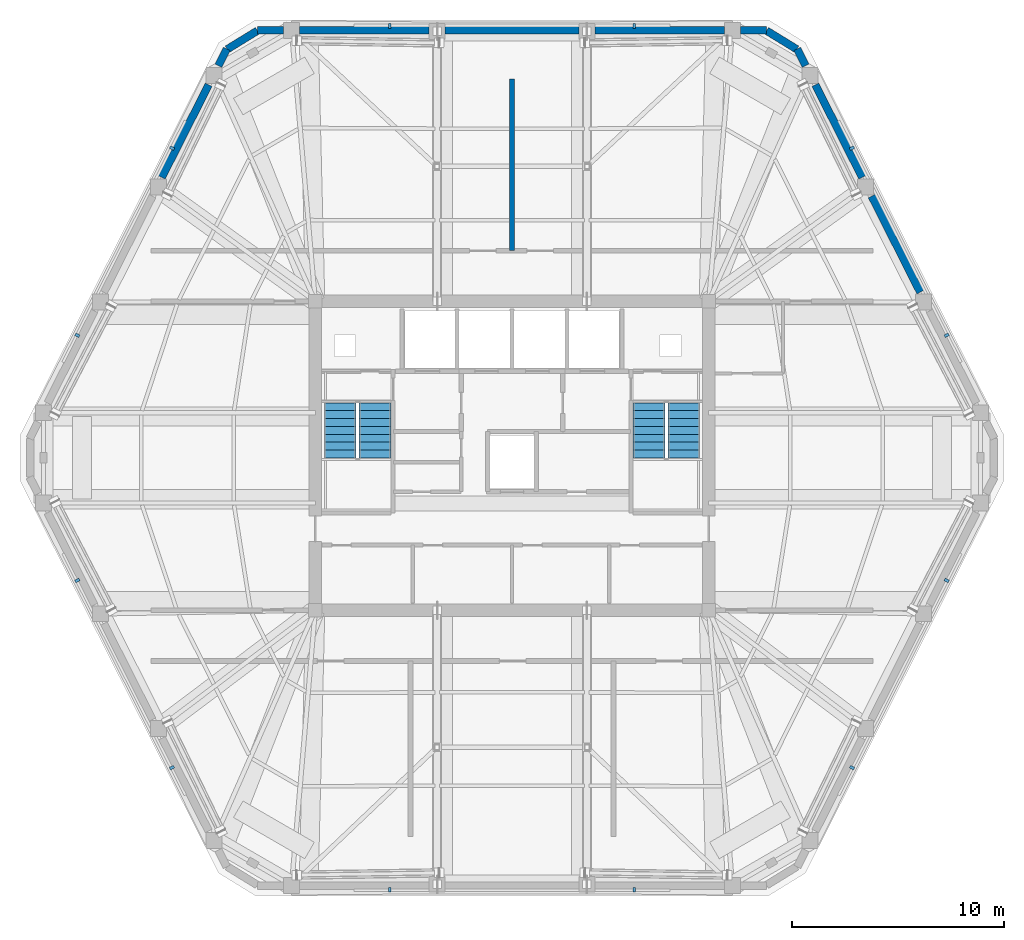
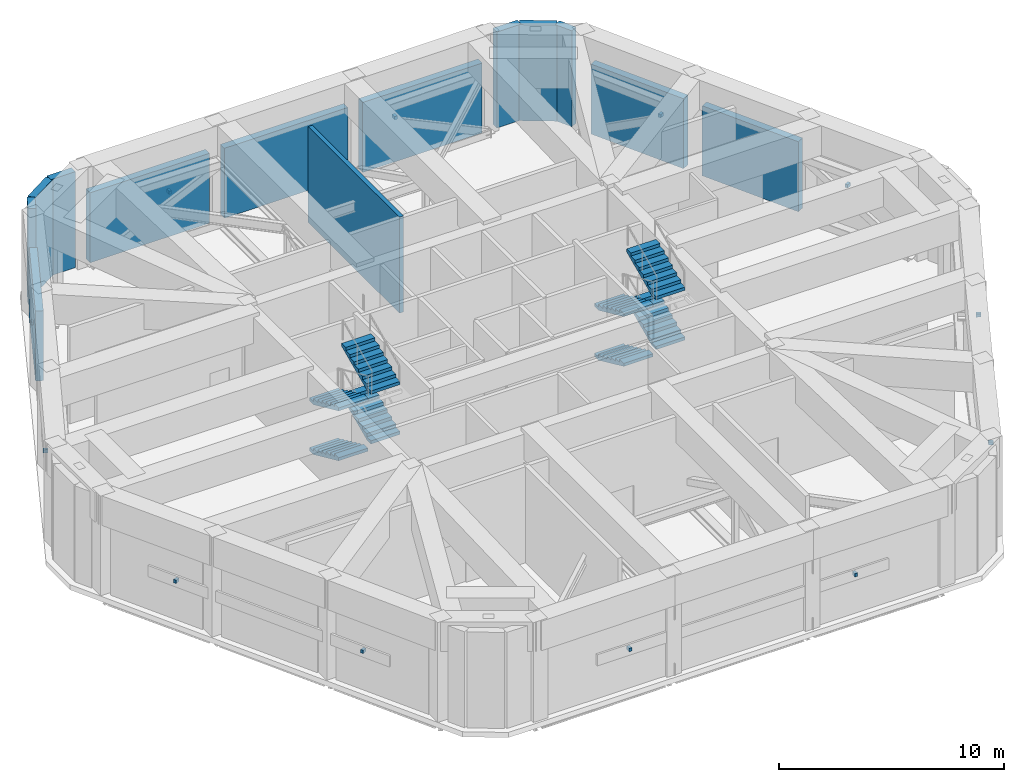
# One storey, part 12 of 15: 13 walls, 12 discrete accessories, 8 stair flights, 2 elements without a shape of their own.
"""IFC4 building model written with IfcOpenShell, lengths in metres."""

from ifc_helpers import new_model, si_unit, direction, frame, frame_2d, origin, origin_2d, place, context, subcontext, project, spatial, polyline, rectangle, outline, extrude, material, layer, layer_set, type_object, element, aggregate, save


model = new_model("IFC4")

# Units and contexts
model_context = context("Model", 3, precision=1e-05, world=origin(), true_north=direction((0.0, 1.0)))
body_context = subcontext(model_context, "Body", "Model", "MODEL_VIEW")
ifc_project = project(units=[si_unit("LENGTHUNIT", "METRE"), si_unit("AREAUNIT", "SQUARE_METRE"), si_unit("VOLUMEUNIT", "CUBIC_METRE"), si_unit("PLANEANGLEUNIT", "RADIAN"), si_unit("MASSUNIT", "GRAM", prefix="KILO")], contexts=[model_context])

# Site, building, storey
site_placement = place(None, origin())
site = spatial("IfcSite", under=ifc_project, at=site_placement, CompositionType="ELEMENT")
building_placement = place(site_placement, origin())
building = spatial("IfcBuilding", under=site, at=building_placement, Name="Cinnabar Lancet Tower", CompositionType="ELEMENT")
storey_placement = place(building_placement, frame((0.0, 0.0, 221.60009765625)))
storey = spatial("IfcBuildingStorey", under=building, at=storey_placement, Name="L59", CompositionType="ELEMENT", Elevation=221.60009765625)

# Walls
ifc_material_1 = material(Name="Acoustic masonry plant room wall", Category="masonry")
ifc_layer_1 = layer(ifc_material_1, 0.219970703125)
ifc_layer_set_1 = layer_set([ifc_layer_1], Name="Acoustic masonry plant room wall")
wall_type_1 = type_object("IfcWallType", Name="ARC-WL-PLANT-220", PredefinedType="PARTITIONING", material=ifc_layer_set_1)
wall_1_placement = place(storey_placement, frame((32.39990234375, 35.60009765625, 0.0), z_axis=(0.0, 0.0, 1.0), x_axis=(0.0, 1.0, 0.0)))
element("IfcWall", 1, at=wall_1_placement, inside=storey, type_object=wall_type_1, Name="PW-L59-NDIV", PredefinedType="PARTITIONING", context=body_context, shape_type="SweptSolid", body=[
    extrude(rectangle(XDim=8.099853515625, YDim=0.219970703125, at=frame_2d((4.0498046875, 0.0))), origin(), (0.0, 0.0, 1.0), 5.199951171875),
])
ifc_material_2 = material(Name="Dark charcoal engineering brick", Category="masonry")
ifc_layer_2 = layer(ifc_material_2, 0.360107421875)
ifc_layer_set_2 = layer_set([ifc_layer_2], Name="Dark charcoal engineering brick")
wall_type_2 = type_object("IfcWallType", Name="ENV-WL-BRK-CHR-360", PredefinedType="STANDARD", material=ifc_layer_set_2)
for number, where, z_axis, x_axis, name in (
    (2, (45.860107421875, 45.117919921875, 0.0), (0.0, 0.0, 1.0), (-0.852179220489, 0.52325001306, 0.0), "L59 Chamfered Corner Brick Pier 4.1"),
    (3, (20.364990234375, 45.992919921875, 0.0), (0.0, 0.0, 1.0), (-0.852179220489, -0.52325001306, 0.0), "L59 Chamfered Corner Brick Pier 5.1"),
):
    element("IfcWall", number, at=place(storey_placement, frame(where, z_axis=z_axis, x_axis=x_axis)), inside=storey, type_object=wall_type_2, Name=name, PredefinedType="STANDARD", context=body_context, shape_type="SweptSolid", body=[
        extrude(rectangle(XDim=1.672119140625, YDim=0.360107421875, at=frame_2d((0.8359375, 0.0))), origin(), (0.0, 0.0, 1.0), 5.199951171875),
    ])
wall_2_placement = place(storey_placement, frame((51.699951171875, 33.631103515625, 0.0), z_axis=(0.0, 0.0, 1.0), x_axis=(-0.451276600056, 0.892384127067, 0.0)))
element("IfcWall", 4, at=wall_2_placement, inside=storey, type_object=wall_type_2, Name="L59 Face 3 Masonry Bay Wall 3", PredefinedType="STANDARD", context=body_context, shape_type="SweptSolid", body=[
    extrude(rectangle(XDim=5.08984375, YDim=0.360107421875, at=frame_2d((2.544921875, 0.0))), origin(), (0.0, 0.0, 1.0), 3.789794921875),
])
wall_3_placement = place(storey_placement, frame((48.9541015625, 39.05908203125, 0.0), z_axis=(0.0, 0.0, 1.0), x_axis=(-0.451389625798, 0.892326961221, 0.0)))
element("IfcWall", 5, at=wall_3_placement, inside=storey, type_object=wall_type_2, Name="L59 Face 3 Masonry Bay Wall 4", PredefinedType="STANDARD", context=body_context, shape_type="SweptSolid", body=[
    extrude(rectangle(XDim=4.905029296875, YDim=0.360107421875, at=frame_2d((2.45263671875, 0.0))), origin(), (0.0, 0.0, 1.0), 3.789794921875),
])
wall_4_placement = place(storey_placement, frame((46.281982421875, 44.342041015625, 0.0), z_axis=(0.0, 0.0, 1.0), x_axis=(-0.451165850885, 0.89244012404, 0.0)))
element("IfcWall", 6, at=wall_4_placement, inside=storey, type_object=wall_type_2, Name="L59 Face 3 Masonry Bay Wall 5", PredefinedType="STANDARD", context=body_context, shape_type="SweptSolid", body=[
    extrude(rectangle(XDim=0.888427734375, YDim=0.360107421875, at=frame_2d((0.4443359375, 0.0))), origin(), (0.0, 0.0, 1.0), 5.199951171875),
])
wall_5_placement = place(storey_placement, frame((44.44091796875, 46.02001953125, 0.0), z_axis=(0.0, 0.0, 1.0), x_axis=(-1.0, 0.0, 0.0)))
element("IfcWall", 7, at=wall_5_placement, inside=storey, type_object=wall_type_2, Name="L59 Face 4 Masonry Bay Wall 1", PredefinedType="STANDARD", context=body_context, shape_type="SweptSolid", body=[
    extrude(rectangle(XDim=1.240966796875, YDim=0.360107421875, at=frame_2d((0.62060546875, 0.0))), origin(), (0.0, 0.0, 1.0), 5.199951171875),
])
wall_6_placement = place(storey_placement, frame((42.44189453125, 46.02001953125, 0.0), z_axis=(0.0, 0.0, 1.0), x_axis=(-1.0, 0.0, 0.0)))
element("IfcWall", 8, at=wall_6_placement, inside=storey, type_object=wall_type_2, Name="L59 Face 4 Masonry Bay Wall 2", PredefinedType="STANDARD", context=body_context, shape_type="SweptSolid", body=[
    extrude(rectangle(XDim=6.119873046875, YDim=0.360107421875, at=frame_2d((3.06005859375, 0.0))), origin(), (0.0, 0.0, 1.0), 3.789794921875),
])
wall_7_placement = place(storey_placement, frame((35.56396484375, 46.02001953125, 0.0), z_axis=(0.0, 0.0, 1.0), x_axis=(-1.0, 0.0, 0.0)))
element("IfcWall", 9, at=wall_7_placement, inside=storey, type_object=wall_type_2, Name="L59 Face 4 Masonry Bay Wall 3", PredefinedType="STANDARD", context=body_context, shape_type="SweptSolid", body=[
    extrude(rectangle(XDim=6.327880859375, YDim=0.360107421875, at=frame_2d((3.1640625, 0.0))), origin(), (0.0, 0.0, 1.0), 3.789794921875),
])
wall_8_placement = place(storey_placement, frame((28.47802734375, 46.02001953125, 0.0), z_axis=(0.0, 0.0, 1.0), x_axis=(-1.0, 0.0, 0.0)))
element("IfcWall", 10, at=wall_8_placement, inside=storey, type_object=wall_type_2, Name="L59 Face 4 Masonry Bay Wall 4", PredefinedType="STANDARD", context=body_context, shape_type="SweptSolid", body=[
    extrude(rectangle(XDim=6.1201171875, YDim=0.360107421875, at=frame_2d((3.06005859375, 0.0))), origin(), (0.0, 0.0, 1.0), 3.789794921875),
])
wall_9_placement = place(storey_placement, frame((21.60009765625, 46.02001953125, 0.0), z_axis=(0.0, 0.0, 1.0), x_axis=(-1.0, 0.0, 0.0)))
element("IfcWall", 11, at=wall_9_placement, inside=storey, type_object=wall_type_2, Name="L59 Face 4 Masonry Bay Wall 5", PredefinedType="STANDARD", context=body_context, shape_type="SweptSolid", body=[
    extrude(rectangle(XDim=1.2412109375, YDim=0.360107421875, at=frame_2d((0.62060546875, 0.0))), origin(), (0.0, 0.0, 1.0), 5.199951171875),
])
wall_10_placement = place(storey_placement, frame((18.9189453125, 45.135009765625, 0.0), z_axis=(0.0, 0.0, 1.0), x_axis=(-0.451165850885, -0.89244012404, 0.0)))
element("IfcWall", 12, at=wall_10_placement, inside=storey, type_object=wall_type_2, Name="L59 Face 5 Masonry Bay Wall 1", PredefinedType="STANDARD", context=body_context, shape_type="SweptSolid", body=[
    extrude(rectangle(XDim=0.888427734375, YDim=0.360107421875, at=frame_2d((0.4443359375, 0.0))), origin(), (0.0, 0.0, 1.0), 5.199951171875),
])
wall_11_placement = place(storey_placement, frame((18.06005859375, 43.43603515625, 0.0), z_axis=(0.0, 0.0, 1.0), x_axis=(-0.451389625798, -0.892326961221, 0.0)))
element("IfcWall", 13, at=wall_11_placement, inside=storey, type_object=wall_type_2, Name="L59 Face 5 Masonry Bay Wall 2", PredefinedType="STANDARD", context=body_context, shape_type="SweptSolid", body=[
    extrude(rectangle(XDim=4.905029296875, YDim=0.360107421875, at=frame_2d((2.45263671875, 0.0))), origin(), (0.0, 0.0, 1.0), 3.789794921875),
])

# Stair, stair flights
ifc_material_3 = material(Name="Concrete C40/50", Category="concrete")
stair_type = type_object("IfcStairType", Name="ST-CORE", PredefinedType="HALF_TURN_STAIR", material=ifc_material_3)
stair_1_placement = place(storey_placement, origin())
stair_1 = element("IfcStair", 14, at=stair_1_placement, inside=storey, type_object=stair_type, Name="L59 ST-1", PredefinedType="HALF_TURN_STAIR")
ifc_material_4 = material(Name="Concrete C40/50", Category="concrete")
stair_flight_type = type_object("IfcStairFlightType", Name="FLIGHT-CORE", PredefinedType="STRAIGHT", material=ifc_material_4)
stair_flight_1_placement = place(storey_placement, frame((24.27490234375, 28.39990234375, 0.0), z_axis=(0.0, 0.0, 1.0), x_axis=(0.0, -1.0, 0.0)))
stair_flight_1 = element("IfcStairFlight", 15, at=stair_flight_1_placement, type_object=stair_flight_type, Name="ST-1 flight 1", NumberOfRisers=8, NumberOfTreads=7, PredefinedType="STRAIGHT", RiserHeight=0.16875, TreadLength=0.3714, context=body_context, shape_type="SweptSolid", body=[
    extrude(outline(polyline([(0.0, 0.0), (0.0, 0.168701171875), (0.371337890625, 0.168701171875), (0.371337890625, 0.33740234375), (0.742919921875, 0.33740234375), (0.742919921875, 0.50634765625), (1.1142578125, 0.50634765625), (1.1142578125, 0.675048828125), (1.485595703125, 0.675048828125), (1.485595703125, 0.84375), (1.85693359375, 0.84375), (1.85693359375, 1.012451171875), (2.228515625, 1.012451171875), (2.228515625, 1.18115234375), (2.599853515625, 1.18115234375), (2.599853515625, 1.35009765625), (2.599853515625, 1.0166015625), (0.3623046875, 0.0), (0.0, 0.0)])), frame((0.0, 0.75, 0.0), z_axis=(0.0, -1.0, 0.0), x_axis=(1.0, 0.0, 0.0)), (0.0, 0.0, 1.0), 1.5),
])
stair_flight_2_placement = place(storey_placement, frame((25.925048828125, 25.80029296875, 1.349853515625), z_axis=(0.0, 0.0, 1.0), x_axis=(0.0, 1.0, 0.0)))
stair_flight_2 = element("IfcStairFlight", 16, at=stair_flight_2_placement, type_object=stair_flight_type, Name="ST-1 flight 2", NumberOfRisers=8, NumberOfTreads=7, PredefinedType="STRAIGHT", RiserHeight=0.16875, TreadLength=0.3714, context=body_context, shape_type="SweptSolid", body=[
    extrude(outline(polyline([(0.0, 0.0), (0.0, 0.168701171875), (0.371337890625, 0.168701171875), (0.371337890625, 0.33740234375), (0.742919921875, 0.33740234375), (0.742919921875, 0.50634765625), (1.1142578125, 0.50634765625), (1.1142578125, 0.675048828125), (1.485595703125, 0.675048828125), (1.485595703125, 0.84375), (1.85693359375, 0.84375), (1.85693359375, 1.012451171875), (2.228515625, 1.012451171875), (2.228515625, 1.18115234375), (2.599853515625, 1.18115234375), (2.599853515625, 1.35009765625), (2.599853515625, 1.0166015625), (0.3623046875, 0.0), (0.0, 0.0)])), frame((0.0, 0.75, 0.0), z_axis=(0.0, -1.0, 0.0), x_axis=(1.0, 0.0, 0.0)), (0.0, 0.0, 1.0), 1.5),
])
stair_flight_3_placement = place(storey_placement, frame((24.27490234375, 28.39990234375, 2.699951171875), z_axis=(0.0, 0.0, 1.0), x_axis=(0.0, -1.0, 0.0)))
stair_flight_3 = element("IfcStairFlight", 17, at=stair_flight_3_placement, type_object=stair_flight_type, Name="ST-1 flight 3", NumberOfRisers=8, NumberOfTreads=7, PredefinedType="STRAIGHT", RiserHeight=0.16875, TreadLength=0.3714, context=body_context, shape_type="SweptSolid", body=[
    extrude(outline(polyline([(0.0, 0.0), (0.0, 0.168701171875), (0.371337890625, 0.168701171875), (0.371337890625, 0.33740234375), (0.742919921875, 0.33740234375), (0.742919921875, 0.50634765625), (1.1142578125, 0.50634765625), (1.1142578125, 0.675048828125), (1.485595703125, 0.675048828125), (1.485595703125, 0.84375), (1.85693359375, 0.84375), (1.85693359375, 1.012451171875), (2.228515625, 1.012451171875), (2.228515625, 1.18115234375), (2.599853515625, 1.18115234375), (2.599853515625, 1.35009765625), (2.599853515625, 1.0166015625), (0.3623046875, 0.0), (0.0, 0.0)])), frame((0.0, 0.75, 0.0), z_axis=(0.0, -1.0, 0.0), x_axis=(1.0, 0.0, 0.0)), (0.0, 0.0, 1.0), 1.5),
])
stair_flight_4_placement = place(storey_placement, frame((25.925048828125, 25.80029296875, 4.0498046875), z_axis=(0.0, 0.0, 1.0), x_axis=(0.0, 1.0, 0.0)))
stair_flight_4 = element("IfcStairFlight", 18, at=stair_flight_4_placement, type_object=stair_flight_type, Name="ST-1 flight 4", NumberOfRisers=8, NumberOfTreads=7, PredefinedType="STRAIGHT", RiserHeight=0.16875, TreadLength=0.3714, context=body_context, shape_type="SweptSolid", body=[
    extrude(outline(polyline([(0.0, 0.0), (0.0, 0.168701171875), (0.371337890625, 0.168701171875), (0.371337890625, 0.33740234375), (0.742919921875, 0.33740234375), (0.742919921875, 0.50634765625), (1.1142578125, 0.50634765625), (1.1142578125, 0.675048828125), (1.485595703125, 0.675048828125), (1.485595703125, 0.84375), (1.85693359375, 0.84375), (1.85693359375, 1.012451171875), (2.228515625, 1.012451171875), (2.228515625, 1.18115234375), (2.599853515625, 1.18115234375), (2.599853515625, 1.35009765625), (2.599853515625, 1.0166015625), (0.3623046875, 0.0), (0.0, 0.0)])), frame((0.0, 0.75, 0.0), z_axis=(0.0, -1.0, 0.0), x_axis=(1.0, 0.0, 0.0)), (0.0, 0.0, 1.0), 1.5),
])
aggregate(stair_1, [stair_flight_1, stair_flight_2, stair_flight_3, stair_flight_4])

stair_2_placement = place(storey_placement, origin())
stair_2 = element("IfcStair", 19, at=stair_2_placement, inside=storey, type_object=stair_type, Name="L59 ST-2", PredefinedType="HALF_TURN_STAIR")
stair_flight_5_placement = place(storey_placement, frame((38.875, 28.39990234375, 0.0), z_axis=(0.0, 0.0, 1.0), x_axis=(0.0, -1.0, 0.0)))
stair_flight_5 = element("IfcStairFlight", 20, at=stair_flight_5_placement, type_object=stair_flight_type, Name="ST-2 flight 1", NumberOfRisers=8, NumberOfTreads=7, PredefinedType="STRAIGHT", RiserHeight=0.16875, TreadLength=0.3714, context=body_context, shape_type="SweptSolid", body=[
    extrude(outline(polyline([(0.0, 0.0), (0.0, 0.168701171875), (0.371337890625, 0.168701171875), (0.371337890625, 0.33740234375), (0.742919921875, 0.33740234375), (0.742919921875, 0.50634765625), (1.1142578125, 0.50634765625), (1.1142578125, 0.675048828125), (1.485595703125, 0.675048828125), (1.485595703125, 0.84375), (1.85693359375, 0.84375), (1.85693359375, 1.012451171875), (2.228515625, 1.012451171875), (2.228515625, 1.18115234375), (2.599853515625, 1.18115234375), (2.599853515625, 1.35009765625), (2.599853515625, 1.0166015625), (0.3623046875, 0.0), (0.0, 0.0)])), frame((0.0, 0.75, 0.0), z_axis=(0.0, -1.0, 0.0), x_axis=(1.0, 0.0, 0.0)), (0.0, 0.0, 1.0), 1.5),
])
stair_flight_6_placement = place(storey_placement, frame((40.52490234375, 25.80029296875, 1.349853515625), z_axis=(0.0, 0.0, 1.0), x_axis=(0.0, 1.0, 0.0)))
stair_flight_6 = element("IfcStairFlight", 21, at=stair_flight_6_placement, type_object=stair_flight_type, Name="ST-2 flight 2", NumberOfRisers=8, NumberOfTreads=7, PredefinedType="STRAIGHT", RiserHeight=0.16875, TreadLength=0.3714, context=body_context, shape_type="SweptSolid", body=[
    extrude(outline(polyline([(0.0, 0.0), (0.0, 0.168701171875), (0.371337890625, 0.168701171875), (0.371337890625, 0.33740234375), (0.742919921875, 0.33740234375), (0.742919921875, 0.50634765625), (1.1142578125, 0.50634765625), (1.1142578125, 0.675048828125), (1.485595703125, 0.675048828125), (1.485595703125, 0.84375), (1.85693359375, 0.84375), (1.85693359375, 1.012451171875), (2.228515625, 1.012451171875), (2.228515625, 1.18115234375), (2.599853515625, 1.18115234375), (2.599853515625, 1.35009765625), (2.599853515625, 1.0166015625), (0.3623046875, 0.0), (0.0, 0.0)])), frame((0.0, 0.75, 0.0), z_axis=(0.0, -1.0, 0.0), x_axis=(1.0, 0.0, 0.0)), (0.0, 0.0, 1.0), 1.5),
])
stair_flight_7_placement = place(storey_placement, frame((38.875, 28.39990234375, 2.699951171875), z_axis=(0.0, 0.0, 1.0), x_axis=(0.0, -1.0, 0.0)))
stair_flight_7 = element("IfcStairFlight", 22, at=stair_flight_7_placement, type_object=stair_flight_type, Name="ST-2 flight 3", NumberOfRisers=8, NumberOfTreads=7, PredefinedType="STRAIGHT", RiserHeight=0.16875, TreadLength=0.3714, context=body_context, shape_type="SweptSolid", body=[
    extrude(outline(polyline([(0.0, 0.0), (0.0, 0.168701171875), (0.371337890625, 0.168701171875), (0.371337890625, 0.33740234375), (0.742919921875, 0.33740234375), (0.742919921875, 0.50634765625), (1.1142578125, 0.50634765625), (1.1142578125, 0.675048828125), (1.485595703125, 0.675048828125), (1.485595703125, 0.84375), (1.85693359375, 0.84375), (1.85693359375, 1.012451171875), (2.228515625, 1.012451171875), (2.228515625, 1.18115234375), (2.599853515625, 1.18115234375), (2.599853515625, 1.35009765625), (2.599853515625, 1.0166015625), (0.3623046875, 0.0), (0.0, 0.0)])), frame((0.0, 0.75, 0.0), z_axis=(0.0, -1.0, 0.0), x_axis=(1.0, 0.0, 0.0)), (0.0, 0.0, 1.0), 1.5),
])
stair_flight_8_placement = place(storey_placement, frame((40.52490234375, 25.80029296875, 4.0498046875), z_axis=(0.0, 0.0, 1.0), x_axis=(0.0, 1.0, 0.0)))
stair_flight_8 = element("IfcStairFlight", 23, at=stair_flight_8_placement, type_object=stair_flight_type, Name="ST-2 flight 4", NumberOfRisers=8, NumberOfTreads=7, PredefinedType="STRAIGHT", RiserHeight=0.16875, TreadLength=0.3714, context=body_context, shape_type="SweptSolid", body=[
    extrude(outline(polyline([(0.0, 0.0), (0.0, 0.168701171875), (0.371337890625, 0.168701171875), (0.371337890625, 0.33740234375), (0.742919921875, 0.33740234375), (0.742919921875, 0.50634765625), (1.1142578125, 0.50634765625), (1.1142578125, 0.675048828125), (1.485595703125, 0.675048828125), (1.485595703125, 0.84375), (1.85693359375, 0.84375), (1.85693359375, 1.012451171875), (2.228515625, 1.012451171875), (2.228515625, 1.18115234375), (2.599853515625, 1.18115234375), (2.599853515625, 1.35009765625), (2.599853515625, 1.0166015625), (0.3623046875, 0.0), (0.0, 0.0)])), frame((0.0, 0.75, 0.0), z_axis=(0.0, -1.0, 0.0), x_axis=(1.0, 0.0, 0.0)), (0.0, 0.0, 1.0), 1.5),
])
aggregate(stair_2, [stair_flight_5, stair_flight_6, stair_flight_7, stair_flight_8])

# Discrete accessories
ifc_material_5 = material(Name="Stainless steel 316 facade fixing bracket", Category="steel")
discrete_accessory_type = type_object("IfcDiscreteAccessoryType", Name="ENV-ACC-BRK-180", PredefinedType="BRACKET", material=ifc_material_5)
for number, where, z_axis, x_axis, name in (
    (24, (26.6201171875, 5.385009765625, 2.06005859375), (0.0, 0.0, 1.0), (1.0, 0.0, 0.0), "L59 Face 1 Louvre Fixing Bracket A"),
    (25, (38.179931640625, 5.385009765625, 2.06005859375), (0.0, 0.0, 1.0), (1.0, 0.0, 0.0), "L59 Face 1 Louvre Fixing Bracket B"),
    (26, (48.47412109375, 11.159912109375, 2.06005859375), (0.0, 0.0, 1.0), (0.451375984307, 0.89233386173, 0.0), "L59 Face 2 Louvre Fixing Bracket A"),
    (27, (52.947021484375, 20.0029296875, 2.06005859375), (0.0, 0.0, 1.0), (0.451375984307, 0.89233386173, 0.0), "L59 Face 2 Louvre Fixing Bracket B"),
    (28, (52.947021484375, 31.596923828125, 2.06005859375), (0.0, 0.0, 1.0), (-0.451375984307, 0.89233386173, 0.0), "L59 Face 3 Louvre Fixing Bracket A"),
    (29, (48.47412109375, 40.43994140625, 2.06005859375), (0.0, 0.0, 1.0), (-0.451375984307, 0.89233386173, 0.0), "L59 Face 3 Louvre Fixing Bracket B"),
    (30, (38.179931640625, 46.215087890625, 2.06005859375), (0.0, 0.0, 1.0), (-1.0, 0.0, 0.0), "L59 Face 4 Louvre Fixing Bracket A"),
    (31, (26.6201171875, 46.215087890625, 2.06005859375), (0.0, 0.0, 1.0), (-1.0, 0.0, 0.0), "L59 Face 4 Louvre Fixing Bracket B"),
    (32, (16.325927734375, 40.43994140625, 2.06005859375), (0.0, 0.0, 1.0), (-0.451375984307, -0.89233386173, 0.0), "L59 Face 5 Louvre Fixing Bracket A"),
    (33, (11.85302734375, 31.596923828125, 2.06005859375), (0.0, 0.0, 1.0), (-0.451375984307, -0.89233386173, 0.0), "L59 Face 5 Louvre Fixing Bracket B"),
    (34, (11.85302734375, 20.0029296875, 2.06005859375), (0.0, 0.0, 1.0), (0.451375984307, -0.89233386173, 0.0), "L59 Face 6 Louvre Fixing Bracket A"),
    (35, (16.325927734375, 11.159912109375, 2.06005859375), (0.0, 0.0, 1.0), (0.451375984307, -0.89233386173, 0.0), "L59 Face 6 Louvre Fixing Bracket B"),
):
    element("IfcDiscreteAccessory", number, at=place(storey_placement, frame(where, z_axis=z_axis, x_axis=x_axis)), inside=storey, type_object=discrete_accessory_type, Name=name, PredefinedType="BRACKET", context=body_context, shape_type="SweptSolid", body=[
        extrude(rectangle(XDim=0.139892578125, YDim=0.219970703125, at=origin_2d()), origin(), (0.0, 0.0, 1.0), 0.179931640625),
    ])

save(model, "model.ifc")
